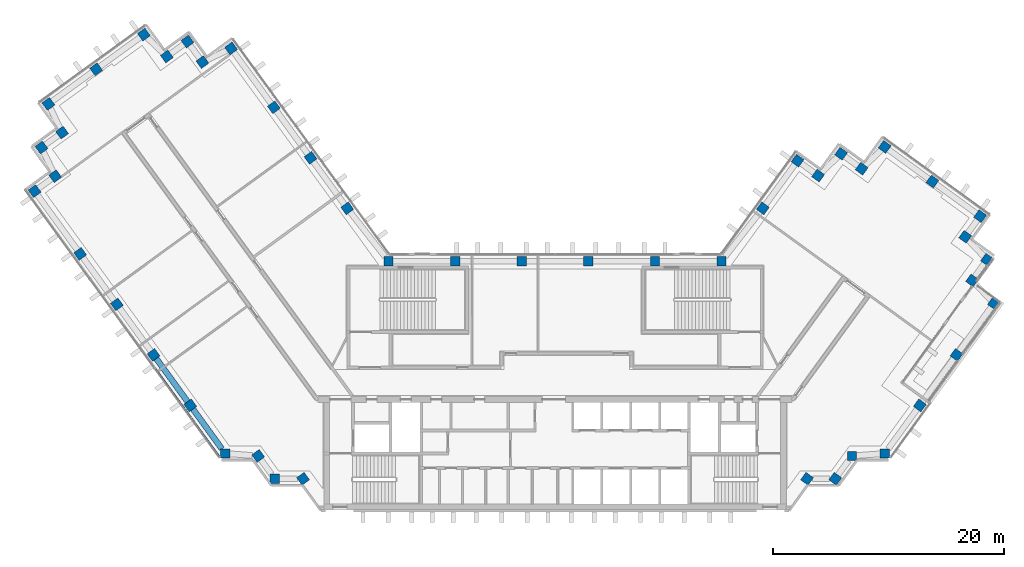
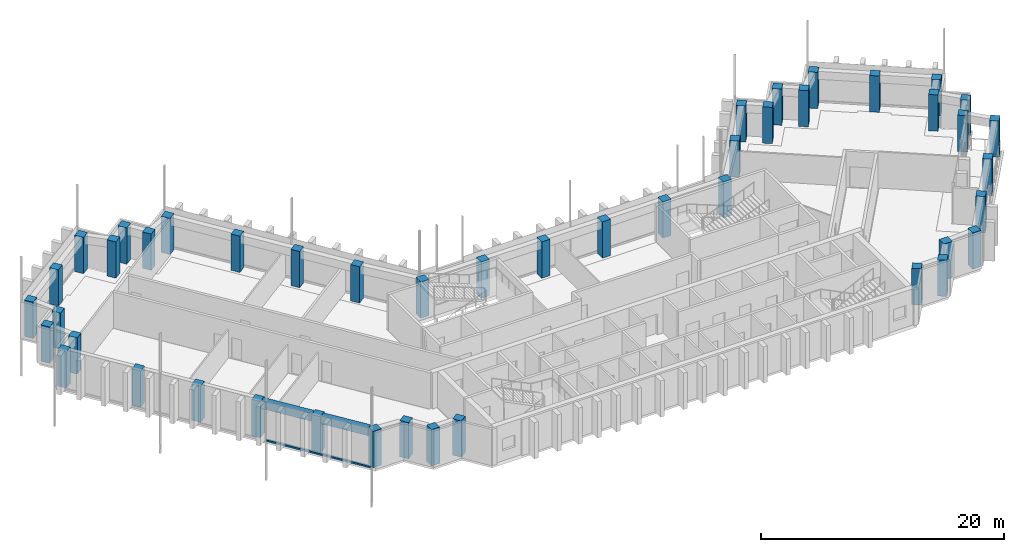
# One storey, part 1 of 14: 46 columns, 2 beams, 1 member, 1 element without a shape of its own.
"""IFC4 building model written with IfcOpenShell, lengths in metres."""

from ifc_helpers import new_model, si_unit, direction, frame, origin, origin_2d, place, context, subcontext, project, spatial, rectangle, extrude, material, material_profile, profile_set, type_object, element, aggregate, save


model = new_model("IFC4")

# Units and contexts
model_context = context("Model", 3, precision=1e-05, world=origin(), true_north=direction((0.0, 1.0)))
body_context = subcontext(model_context, "Body", "Model", "MODEL_VIEW")
ifc_project = project(units=[si_unit("LENGTHUNIT", "METRE"), si_unit("AREAUNIT", "SQUARE_METRE"), si_unit("VOLUMEUNIT", "CUBIC_METRE"), si_unit("PLANEANGLEUNIT", "RADIAN"), si_unit("MASSUNIT", "GRAM", prefix="KILO")], contexts=[model_context])

# Site, building, storey
site_placement = place(None, origin())
site = spatial("IfcSite", under=ifc_project, at=site_placement, CompositionType="ELEMENT")
building_placement = place(site_placement, origin())
building = spatial("IfcBuilding", under=site, at=building_placement, Name="Quipu Civic Tower", CompositionType="ELEMENT")
storey_placement = place(building_placement, frame((0.0, 0.0, 198.0)))
storey = spatial("IfcBuildingStorey", under=building, at=storey_placement, Name="L46", CompositionType="ELEMENT", Elevation=198.0)

# Columns
ifc_material_1 = material(Name="Concrete C50/60", Category="concrete")
ifc_material_profile_1 = material_profile(ifc_material_1, rectangle(XDim=0.800048828125, YDim=0.800048828125, at=origin_2d()), Name="RC800x800")
ifc_profile_set_1 = profile_set([ifc_material_profile_1], Name="Concrete C50/60")
column_type = type_object("IfcColumnType", Name="Perimeter column RC 800x800 C50/60", PredefinedType="COLUMN", material=ifc_profile_set_1)
for number, where, z_axis, x_axis, name in (
    (1, (-17.9736328125, 15.074951171875, 0.0), (0.0, 0.0, 1.0), (-0.587785252292, 0.809016994375, 0.0), "Column L46 W-IN-01"),
    (2, (-21.1474609375, 19.44384765625, 0.0), (0.0, 0.0, 1.0), (-0.587785252292, 0.809016994375, 0.0), "Column L46 W-IN-02"),
    (3, (-24.3212890625, 23.8125, 0.0), (0.0, 0.0, 1.0), (-0.587785252292, 0.809016994375, 0.0), "Column L46 W-IN-03"),
    (4, (-28.02001953125, 28.905029296875, 0.0), (0.0, 0.0, 1.0), (-0.809016994375, -0.587785252292, 0.0), "Column L46 T-Wi.0-W34"),
    (5, (-30.498779296875, 27.72265625, 0.0), (0.0, 0.0, 1.0), (-0.809016994375, -0.587785252292, 0.0), "Column L46 T-Wi.1-W34"),
    (6, (-31.794921875, 29.5, 0.0), (0.0, 0.0, 1.0), (-0.587785252292, 0.809016994375, 0.0), "Column L46 T-Wi.2-W34"),
    (7, (-33.573974609375, 28.20947265625, 0.0), (0.0, 0.0, 1.0), (-0.587785252292, 0.809016994375, 0.0), "Column L46 T-Wi.3-W34"),
    (8, (-35.56494140625, 30.10009765625, 0.0), (0.0, 0.0, 1.0), (-0.809016994375, -0.587785252292, 0.0), "Column L46 T-Wi.4-W34"),
    (9, (-39.690673828125, 27.10205078125, 0.0), (0.0, 0.0, 1.0), (-0.809016994375, -0.587785252292, 0.0), "Column L46 TIP-W-01-W34"),
    (10, (-43.81494140625, 24.10498046875, 0.0), (0.0, 0.0, 1.0), (-0.809016994375, -0.587785252292, 0.0), "Column L46 T-Wo.0-W34"),
    (11, (-42.635009765625, 21.626220703125, 0.0), (0.0, 0.0, 1.0), (-0.809016994375, -0.587785252292, 0.0), "Column L46 T-Wo.1-W34"),
    (12, (-44.4150390625, 20.3349609375, 0.0), (0.0, 0.0, 1.0), (0.587785252292, -0.809016994375, 0.0), "Column L46 T-Wo.2-W34"),
    (13, (-43.23095703125, 17.8544921875, 0.0), (0.0, 0.0, 1.0), (0.587785252292, -0.809016994375, 0.0), "Column L46 T-Wo.3-W34"),
    (14, (-45.010009765625, 16.56005859375, 0.0), (0.0, 0.0, 1.0), (0.587785252292, -0.809016994375, 0.0), "Column L46 T-Wo.4-W34"),
    (15, (-41.0703125, 11.137451171875, 0.0), (0.0, 0.0, 1.0), (0.587785252292, -0.809016994375, 0.0), "Column L46 W-OUT-04"),
    (16, (-37.896240234375, 6.768798828125, 0.0), (0.0, 0.0, 1.0), (0.587785252292, -0.809016994375, 0.0), "Column L46 W-OUT-03"),
    (17, (-34.722412109375, 2.39990234375, 0.0), (0.0, 0.0, 1.0), (0.587785252292, -0.809016994375, 0.0), "Column L46 W-OUT-02"),
    (18, (-31.54833984375, -1.96875, 0.0), (0.0, 0.0, 1.0), (0.587785252292, -0.809016994375, 0.0), "Column L46 W-OUT-01"),
    (19, (-28.52490234375, -6.1298828125, 0.0), (0.0, 0.0, 1.0), (1.0, 0.0, 0.0), "Column L46 J-Wo.0"),
    (20, (-25.67431640625, -6.3369140625, 0.0), (0.0, 0.0, 1.0), (0.587785252292, -0.809016994375, 0.0), "Column L46 J-Wo.1"),
    (21, (-24.235107421875, -8.31494140625, 0.0), (0.0, 0.0, 1.0), (1.0, 0.0, 0.0), "Column L46 J-Wo.2"),
    (22, (-21.791748046875, -8.31494140625, 0.0), (0.0, 0.0, 1.0), (0.587785252292, -0.809016994375, 0.0), "Column L46 J-Wo.3"),
    (23, (21.791748046875, -8.31494140625, 0.0), (0.0, 0.0, 1.0), (0.587785252292, 0.809016994375, 0.0), "Column L46 J-Eo.1"),
    (24, (24.235107421875, -8.31494140625, 0.0), (0.0, 0.0, 1.0), (0.587785252292, 0.809016994375, 0.0), "Column L46 J-Eo.2"),
    (25, (25.67431640625, -6.3369140625, 0.0), (0.0, 0.0, 1.0), (1.0, 0.0, 0.0), "Column L46 J-Eo.3"),
    (26, (28.52490234375, -6.1298828125, 0.0), (0.0, 0.0, 1.0), (1.0, 0.0, 0.0), "Column L46 J-Eo.4"),
    (27, (31.54833984375, -1.96875, 0.0), (0.0, 0.0, 1.0), (0.587785252292, 0.809016994375, 0.0), "Column L46 E-OUT-01"),
    (28, (34.722412109375, 2.39990234375, 0.0), (0.0, 0.0, 1.0), (0.587785252292, 0.809016994375, 0.0), "Column L46 E-OUT-02"),
    (29, (37.9599609375, 6.85498046875, 0.0), (0.0, 0.0, 1.0), (0.587785252292, 0.809016994375, 0.0), "Column L46 T-Eo.0-E22"),
    (30, (36.068115234375, 8.843994140625, 0.0), (0.0, 0.0, 1.0), (0.587785252292, 0.809016994375, 0.0), "Column L46 T-Eo.1-E22"),
    (31, (37.360107421875, 10.625, 0.0), (0.0, 0.0, 1.0), (0.587785252292, 0.809016994375, 0.0), "Column L46 T-Eo.2-E22"),
    (32, (35.470703125, 12.616455078125, 0.0), (0.0, 0.0, 1.0), (-0.809016994375, 0.587785252292, 0.0), "Column L46 T-Eo.3-E22"),
    (33, (36.764892578125, 14.39501953125, 0.0), (0.0, 0.0, 1.0), (-0.809016994375, 0.587785252292, 0.0), "Column L46 T-Eo.4-E22"),
    (34, (32.636962890625, 17.39306640625, 0.0), (0.0, 0.0, 1.0), (-0.809016994375, 0.587785252292, 0.0), "Column L46 TIP-E-01-E22"),
    (35, (28.510009765625, 20.389892578125, 0.0), (0.0, 0.0, 1.0), (-0.587785252292, -0.809016994375, 0.0), "Column L46 T-Ei.0-E22"),
    (36, (26.51904296875, 18.50048828125, 0.0), (0.0, 0.0, 1.0), (-0.809016994375, 0.587785252292, 0.0), "Column L46 T-Ei.1-E22"),
    (37, (24.739990234375, 19.794921875, 0.0), (0.0, 0.0, 1.0), (-0.587785252292, -0.809016994375, 0.0), "Column L46 T-Ei.2-E22"),
    (38, (22.749267578125, 17.904296875, 0.0), (0.0, 0.0, 1.0), (-0.587785252292, -0.809016994375, 0.0), "Column L46 T-Ei.3-E22"),
    (39, (20.969970703125, 19.195068359375, 0.0), (0.0, 0.0, 1.0), (-0.587785252292, -0.809016994375, 0.0), "Column L46 T-Ei.4-E22"),
    (40, (17.9736328125, 15.074951171875, 0.0), (0.0, 0.0, 1.0), (-0.587785252292, -0.809016994375, 0.0), "Column L46 E-IN-01"),
    (41, (14.395263671875, 10.5, 0.0), (0.0, 0.0, 1.0), (-1.0, 0.0, 0.0), "Column L46 J-Ei.0"),
    (42, (8.63720703125, 10.5, 0.0), (0.0, 0.0, 1.0), (-1.0, 0.0, 0.0), "Column L46 FRONT-01"),
    (43, (2.87890625, 10.5, 0.0), (0.0, 0.0, 1.0), (-1.0, 0.0, 0.0), "Column L46 FRONT-02"),
    (44, (-2.87890625, 10.5, 0.0), (0.0, 0.0, 1.0), (-1.0, 0.0, 0.0), "Column L46 FRONT-03"),
    (45, (-8.63720703125, 10.5, 0.0), (0.0, 0.0, 1.0), (-1.0, 0.0, 0.0), "Column L46 FRONT-04"),
    (46, (-14.395263671875, 10.5, 0.0), (0.0, 0.0, 1.0), (-1.0, 0.0, 0.0), "Column L46 J-Wi.0"),
):
    element("IfcColumn", number, at=place(storey_placement, frame(where, z_axis=z_axis, x_axis=x_axis)), inside=storey, type_object=column_type, Name=name, PredefinedType="COLUMN", context=body_context, shape_type="SweptSolid", body=[
        extrude(rectangle(XDim=0.800048828125, YDim=0.800048828125, at=origin_2d()), origin(), (0.0, 0.0, 1.0), 3.64990234375),
    ])

# Beams
ifc_material_2 = material(Name="Concrete C50/60", Category="concrete")
ifc_material_profile_2 = material_profile(ifc_material_2, rectangle(XDim=0.5, YDim=0.800048828125, at=origin_2d()), Name="RC500x800")
ifc_profile_set_2 = profile_set([ifc_material_profile_2], Name="Concrete C50/60")
beam_type = type_object("IfcBeamType", Name="Spandrel beam RC 500x800 C50/60", PredefinedType="SPANDREL", material=ifc_profile_set_2)
beam_1_placement = place(storey_placement, frame((-34.4873046875, 2.076416015625, 3.25), z_axis=(0.587796098864, -0.809009113768, 0.0), x_axis=(0.809009113768, 0.587796098864, 0.0)))
element("IfcBeam", 47, at=beam_1_placement, inside=storey, type_object=beam_type, Name="Spandrel beam L46 W-OUT-02 to W-OUT-01", PredefinedType="SPANDREL", context=body_context, shape_type="SweptSolid", body=[
    extrude(rectangle(XDim=0.5, YDim=0.800048828125, at=origin_2d()), origin(), (0.0, 0.0, 1.0), 4.60009765625),
])
beam_2_placement = place(storey_placement, frame((-31.313232421875, -2.292236328125, 3.25), z_axis=(0.58776850526, -0.809029161541, 0.0), x_axis=(0.809029161541, 0.58776850526, 0.0)))
element("IfcBeam", 48, at=beam_2_placement, inside=storey, type_object=beam_type, Name="Spandrel beam L46 W-OUT-01 to J-Wo.0", PredefinedType="SPANDREL", context=body_context, shape_type="SweptSolid", body=[
    extrude(rectangle(XDim=0.5, YDim=0.800048828125, at=origin_2d()), origin(), (0.0, 0.0, 1.0), 4.249267578125),
])

# Curtain wall, member
ifc_material_3 = material(Name="Insulated glass unit", Category="glass")
curtain_wall_type = type_object("IfcCurtainWallType", Name="Office curtain wall CW1", PredefinedType="NOTDEFINED", material=ifc_material_3)
curtain_wall_placement = place(storey_placement, origin())
curtain_wall = element("IfcCurtainWall", 49, at=curtain_wall_placement, inside=storey, type_object=curtain_wall_type, Name="Office curtain wall CW1 L45 run 27", PredefinedType="NOTDEFINED")
ifc_material_4 = material(Name="Anodised aluminium", Category="aluminium")
ifc_material_profile_3 = material_profile(ifc_material_4, rectangle(XDim=0.199951171875, YDim=0.159912109375, at=origin_2d()), Name="RECT 200x160")
ifc_profile_set_3 = profile_set([ifc_material_profile_3], Name="Anodised aluminium")
member_type = type_object("IfcMemberType", Name="Transom CW1", PredefinedType="USERDEFINED", material=ifc_profile_set_3)
member_placement = place(storey_placement, frame((-34.596923828125, 1.20654296875, 0.080078125), z_axis=(0.587783783239, -0.809018061703, 0.0), x_axis=(0.809018061703, 0.587783783239, 0.0)))
member = element("IfcMember", 50, at=member_placement, type_object=member_type, Name="CW1 transom 3.2", ObjectType="TRANSOM", PredefinedType="USERDEFINED", context=body_context, shape_type="SweptSolid", body=[
    extrude(rectangle(XDim=0.199951171875, YDim=0.159912109375, at=origin_2d()), origin(), (0.0, 0.0, 1.0), 9.431884765625),
])
aggregate(curtain_wall, [member])

save(model, "model.ifc")
